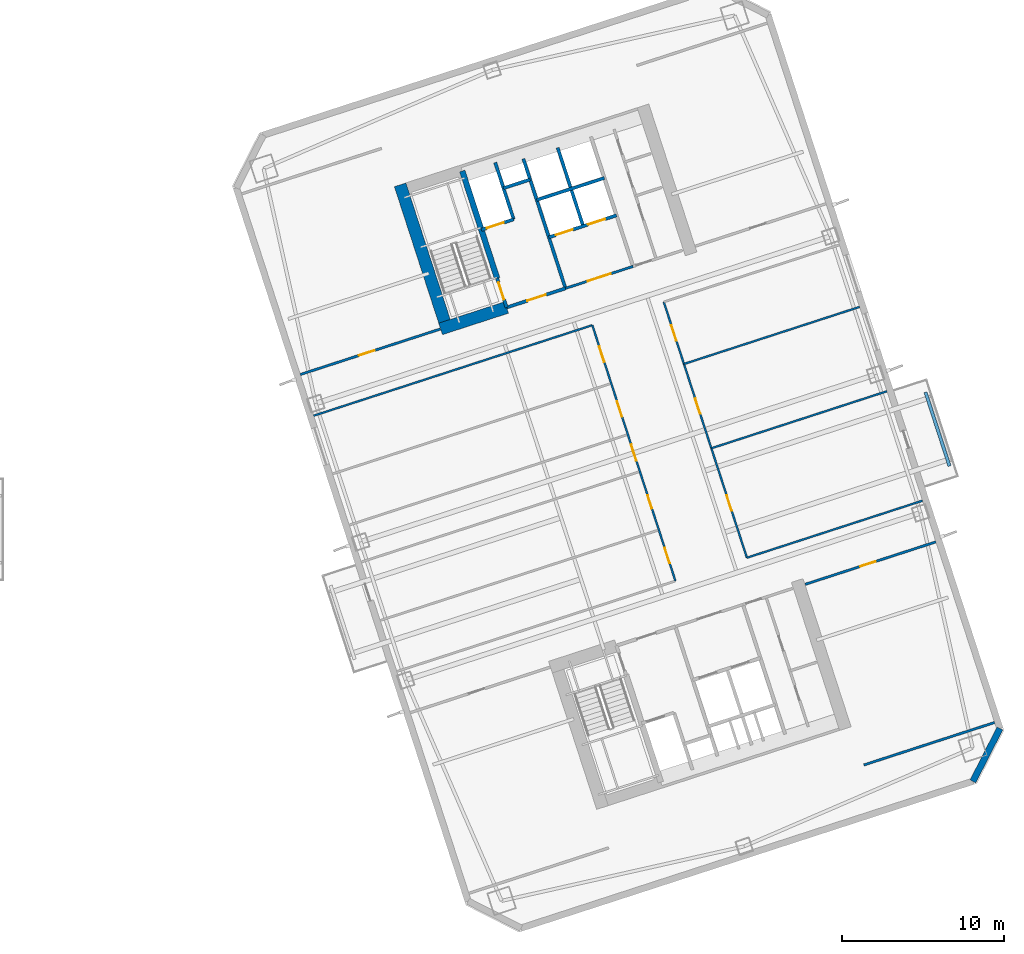
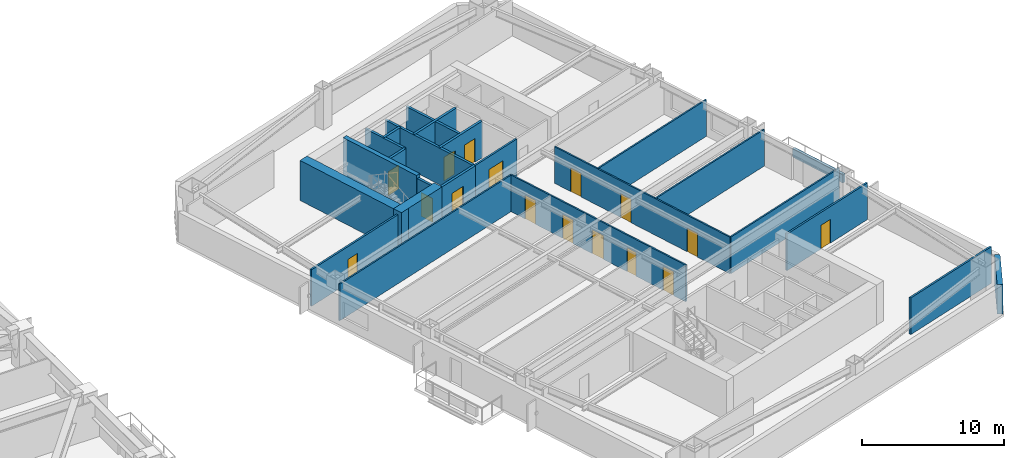
# One storey, part 10 of 19: 24 walls, 16 doors, 16 openings.
"""IFC4 building model written with IfcOpenShell, lengths in metres."""

from ifc_helpers import new_model, si_unit, direction, frame, frame_2d, origin, place, context, subcontext, project, spatial, rectangle, extrude, material, layer, layer_set, type_object, element, fill, save


model = new_model("IFC4")

# Units and contexts
model_context = context("Model", 3, precision=1e-05, world=origin(), true_north=direction((0.0, 1.0)))
body_context = subcontext(model_context, "Body", "Model", "MODEL_VIEW")
ifc_project = project(units=[si_unit("LENGTHUNIT", "METRE"), si_unit("AREAUNIT", "SQUARE_METRE"), si_unit("VOLUMEUNIT", "CUBIC_METRE"), si_unit("PLANEANGLEUNIT", "RADIAN"), si_unit("MASSUNIT", "GRAM", prefix="KILO")], contexts=[model_context])

# Site, building, storey
site_placement = place(None, origin())
site = spatial("IfcSite", under=ifc_project, at=site_placement, CompositionType="ELEMENT")
building_placement = place(site_placement, origin())
building = spatial("IfcBuilding", under=site, at=building_placement, Name="Qiaolan Cultural Towers", CompositionType="ELEMENT")
storey_placement = place(building_placement, frame((0.0, 0.0, 88.550048828125)))
storey = spatial("IfcBuildingStorey", under=building, at=storey_placement, Name="L22", CompositionType="ELEMENT", Elevation=88.550048828125)

# Walls
ifc_material_1 = material(Name="Concrete C50", Category="concrete")
ifc_layer_1 = layer(ifc_material_1, 0.35009765625)
ifc_layer_set_1 = layer_set([ifc_layer_1], Name="Concrete C50")
wall_type_1 = type_object("IfcWallType", Name="WL-CORE-350", PredefinedType="SHEAR", material=ifc_layer_set_1)
wall_1_placement = place(storey_placement, frame((82.513671875, 45.13134765625, 0.0), z_axis=(0.0, 0.0, 1.0), x_axis=(-0.308988790936, 0.951065679686, 0.0)))
element("IfcWall", 1, at=wall_1_placement, inside=storey, type_object=wall_type_1, Name="L22 T2-CN Stair Core Dividing Web", PredefinedType="SHEAR", context=body_context, shape_type="SweptSolid", body=[
    extrude(rectangle(XDim=6.97998046875, YDim=0.35009765625, at=frame_2d((3.489990234375, 0.0))), origin(), (0.0, 0.0, 1.0), 3.449951171875),
])
ifc_material_2 = material(Name="Concrete C60", Category="concrete")
ifc_layer_2 = layer(ifc_material_2, 0.75)
ifc_layer_set_2 = layer_set([ifc_layer_2], Name="Concrete C60")
wall_type_2 = type_object("IfcWallType", Name="WL-CORE-750", PredefinedType="SHEAR", material=ifc_layer_set_2)
wall_2_placement = place(storey_placement, frame((79.48876953125, 41.75634765625, 0.0), z_axis=(0.0, 0.0, 1.0), x_axis=(-0.309016134813, 0.951056795583, 0.0)))
element("IfcWall", 2, at=wall_2_placement, inside=storey, type_object=wall_type_2, Name="L22 T2-CN West Core Shear Wall", PredefinedType="SHEAR", context=body_context, shape_type="SweptSolid", body=[
    extrude(rectangle(XDim=9.630126953125, YDim=0.75, at=frame_2d((4.81494140625, 0.0))), origin(), (0.0, 0.0, 1.0), 3.449951171875),
])
wall_3_placement = place(storey_placement, frame((79.01611328125, 41.997314453125, 0.0), z_axis=(0.0, 0.0, 1.0), x_axis=(0.95106038264, 0.309005094736, 0.0)))
element("IfcWall", 3, at=wall_3_placement, inside=storey, type_object=wall_type_2, Name="L22 T2-CN Stair Front Shear Wall", PredefinedType="SHEAR", context=body_context, shape_type="SweptSolid", body=[
    extrude(rectangle(XDim=4.294921875, YDim=0.75, at=frame_2d((2.1474609375, 0.0))), origin(), (0.0, 0.0, 1.0), 3.449951171875),
])
ifc_material_3 = material(Name="Precast Concrete C50 Honed Stone Pier", Category="masonry")
ifc_layer_3 = layer(ifc_material_3, 0.39990234375)
ifc_layer_set_3 = layer_set([ifc_layer_3], Name="Precast Concrete C50 Honed Stone Pier")
wall_type_3 = type_object("IfcWallType", Name="WL-EXT-PIER-400", PredefinedType="SOLIDWALL", material=ifc_layer_set_3)
wall_4_placement = place(storey_placement, frame((113.62255859375, 17.281494140625, 0.0), z_axis=(0.0, 0.0, 1.0), x_axis=(-0.454026238093, -0.890988313685, 0.0)))
element("IfcWall", 4, at=wall_4_placement, inside=storey, type_object=wall_type_3, Name="L22 East Tower Precast Pier Facade Wall F6", PredefinedType="SOLIDWALL", context=body_context, shape_type="SweptSolid", body=[
    extrude(rectangle(XDim=3.677001953125, YDim=0.39990234375, at=frame_2d((1.83837890625, 0.0))), origin(), (0.0, 0.0, 1.0), 2.550048828125),
])

# Wall, opening, door
ifc_material_4 = material(Name="Concrete C35 Fire Wall", Category="concrete")
ifc_layer_4 = layer(ifc_material_4, 0.199951171875)
ifc_layer_set_4 = layer_set([ifc_layer_4], Name="Concrete C35 Fire Wall")
wall_type_4 = type_object("IfcWallType", Name="WL-FIRE-200", PredefinedType="PARTITIONING", material=ifc_layer_set_4)
wall_5_placement = place(storey_placement, frame((83.100830078125, 43.324462890625, 0.0), z_axis=(0.0, 0.0, 1.0), x_axis=(-0.309048298632, 0.951046344356, 0.0)))
wall_5 = element("IfcWall", 5, at=wall_5_placement, inside=storey, type_object=wall_type_4, Name="L22 T2-CN Smokeproof Stair Entry Wall", PredefinedType="PARTITIONING", context=body_context, shape_type="SweptSolid", body=[
    extrude(rectangle(XDim=1.89990234375, YDim=0.199951171875, at=frame_2d((0.949951171875, 0.0))), origin(), (0.0, 0.0, 1.0), 3.155029296875),
])
opening_1_placement = place(wall_5_placement, frame((0.52001953125, 0.0, 0.0)))
opening_1 = element("IfcOpeningElement", 6, at=opening_1_placement, cuts=wall_5, Name="Opening FD-04", PredefinedType="OPENING", context=body_context, shape_type="SweptSolid", body=[
    extrude(rectangle(XDim=1.10009765625, YDim=2.050048828125, at=frame_2d((0.550048828125, 1.02490234375))), frame((0.0, 0.10986328125, 0.0), z_axis=(0.0, -1.0, 0.0), x_axis=(1.0, 0.0, 0.0)), (0.0, 0.0, 1.0), 0.219970703125),
])
ifc_material_5 = material(Name="Galvanized Steel Command Fire Door", Category="steel")
door_type_1 = type_object("IfcDoorType", Name="DR-FD90-1100", OperationType="NOTDEFINED", PredefinedType="DOOR", material=ifc_material_5)
door_1_placement = place(opening_1_placement, origin())
door_1 = element("IfcDoor", 7, at=door_1_placement, inside=storey, type_object=door_type_1, Name="L22 ST-E2 Smokeproof Stair Fire Door", OperationType="SINGLE_SWING_LEFT", OverallHeight=2.050048828125, OverallWidth=1.10009765625, PredefinedType="DOOR", context=body_context, shape_type="SweptSolid", body=[
    extrude(rectangle(XDim=1.10009765625, YDim=2.050048828125, at=frame_2d((0.550048828125, 1.02490234375))), frame((0.0, 0.02490234375, 0.0), z_axis=(0.0, -1.0, 0.0), x_axis=(1.0, 0.0, 0.0)), (0.0, 0.0, 1.0), 0.050048828125),
])
fill(opening_1, door_1)

# Wall
wall_6_placement = place(storey_placement, frame((86.743408203125, 44.508056640625, 0.0), z_axis=(0.0, 0.0, 1.0), x_axis=(-0.309016001439, 0.951056838919, 0.0)))
element("IfcWall", 8, at=wall_6_placement, inside=storey, type_object=wall_type_4, Name="L22 T2-CN Firefighting Zone Wall", PredefinedType="PARTITIONING", context=body_context, shape_type="SweptSolid", body=[
    extrude(rectangle(XDim=8.429931640625, YDim=0.199951171875, at=frame_2d((4.21484375, 0.0))), origin(), (0.0, 0.0, 1.0), 3.155029296875),
])

# Wall, opening, door
wall_7_placement = place(storey_placement, frame((83.100830078125, 43.324462890625, 0.0), z_axis=(0.0, 0.0, 1.0), x_axis=(0.951052804469, 0.309028417967, 0.0)))
wall_7 = element("IfcWall", 9, at=wall_7_placement, inside=storey, type_object=wall_type_4, Name="L22 T2-CN Firefighting Lobby Front Wall", PredefinedType="PARTITIONING", context=body_context, shape_type="SweptSolid", body=[
    extrude(rectangle(XDim=3.830078125, YDim=0.199951171875, at=frame_2d((1.9150390625, 0.0))), origin(), (0.0, 0.0, 1.0), 3.155029296875),
])
opening_2_placement = place(wall_7_placement, frame((1.35009765625, 0.0, 0.0)))
opening_2 = element("IfcOpeningElement", 10, at=opening_2_placement, cuts=wall_7, Name="Opening FD-03", PredefinedType="OPENING", context=body_context, shape_type="SweptSolid", body=[
    extrude(rectangle(XDim=1.199951171875, YDim=2.050048828125, at=frame_2d((0.60009765625, 1.02490234375))), frame((0.0, 0.10986328125, 0.0), z_axis=(0.0, -1.0, 0.0), x_axis=(1.0, 0.0, 0.0)), (0.0, 0.0, 1.0), 0.219970703125),
])
ifc_material_6 = material(Name="Galvanized Steel Smokeproof Lobby Fire Door", Category="steel")
door_type_2 = type_object("IfcDoorType", Name="DR-FD90-1200", OperationType="NOTDEFINED", PredefinedType="DOOR", material=ifc_material_6)
door_2_placement = place(opening_2_placement, origin())
door_2 = element("IfcDoor", 11, at=door_2_placement, inside=storey, type_object=door_type_2, Name="L22 FFL-E2 Firefighting Lobby Fire Door", OperationType="SINGLE_SWING_LEFT", OverallHeight=2.050048828125, OverallWidth=1.199951171875, PredefinedType="DOOR", context=body_context, shape_type="SweptSolid", body=[
    extrude(rectangle(XDim=1.199951171875, YDim=2.050048828125, at=frame_2d((0.60009765625, 1.02490234375))), frame((0.0, 0.02490234375, 0.0), z_axis=(0.0, -1.0, 0.0), x_axis=(1.0, 0.0, 0.0)), (0.0, 0.0, 1.0), 0.050048828125),
])
fill(opening_2, door_2)

wall_8_placement = place(storey_placement, frame((81.540283203125, 48.127197265625, 0.0), z_axis=(0.0, 0.0, 1.0), x_axis=(0.951062257173, 0.308999325213, 0.0)))
wall_8 = element("IfcWall", 12, at=wall_8_placement, inside=storey, type_object=wall_type_4, Name="L22 T2-CN Firefighting Shaft Front Wall", PredefinedType="PARTITIONING", context=body_context, shape_type="SweptSolid", body=[
    extrude(rectangle(XDim=2.10009765625, YDim=0.199951171875, at=frame_2d((1.050048828125, 0.0))), origin(), (0.0, 0.0, 1.0), 3.155029296875),
])
opening_3_placement = place(wall_8_placement, frame((0.35009765625, 0.0, 0.0)))
opening_3 = element("IfcOpeningElement", 13, at=opening_3_placement, cuts=wall_8, Name="Opening LD-01", PredefinedType="OPENING", context=body_context, shape_type="SweptSolid", body=[
    extrude(rectangle(XDim=1.10009765625, YDim=2.050048828125, at=frame_2d((0.550048828125, 1.02490234375))), frame((0.0, 0.10986328125, 0.0), z_axis=(0.0, -1.0, 0.0), x_axis=(1.0, 0.0, 0.0)), (0.0, 0.0, 1.0), 0.219970703125),
])
ifc_material_7 = material(Name="Brushed Stainless Steel S30408 Centre-Parting Lift Landing Door", Category="steel")
door_type_3 = type_object("IfcDoorType", Name="DR-LIFT-1100", OperationType="NOTDEFINED", PredefinedType="DOOR", material=ifc_material_7)
door_3_placement = place(opening_3_placement, origin())
door_3 = element("IfcDoor", 14, at=door_3_placement, inside=storey, type_object=door_type_3, Name="L22 FFL-E2 Firefighting Lift Landing Door", OperationType="DOUBLE_DOOR_SLIDING", OverallHeight=2.050048828125, OverallWidth=1.10009765625, PredefinedType="DOOR", context=body_context, shape_type="SweptSolid", body=[
    extrude(rectangle(XDim=1.10009765625, YDim=2.050048828125, at=frame_2d((0.550048828125, 1.02490234375))), frame((0.0, 0.02490234375, 0.0), z_axis=(0.0, -1.0, 0.0), x_axis=(1.0, 0.0, 0.0)), (0.0, 0.0, 1.0), 0.050048828125),
])
fill(opening_3, door_3)

# Walls
wall_9_placement = place(storey_placement, frame((83.53759765625, 48.776123046875, 0.0), z_axis=(0.0, 0.0, 1.0), x_axis=(-0.3089935693, 0.951064127245, 0.0)))
element("IfcWall", 15, at=wall_9_placement, inside=storey, type_object=wall_type_4, Name="L22 T2-CN Firefighting Hoistway East Wall", PredefinedType="PARTITIONING", context=body_context, shape_type="SweptSolid", body=[
    extrude(rectangle(XDim=3.7001953125, YDim=0.199951171875, at=frame_2d((1.85009765625, 0.0))), origin(), (0.0, 0.0, 1.0), 3.155029296875),
])
wall_10_placement = place(storey_placement, frame((82.910400390625, 50.706787109375, 0.0), z_axis=(0.0, 0.0, 1.0), x_axis=(0.951041328149, 0.309063734775, 0.0)))
element("IfcWall", 16, at=wall_10_placement, inside=storey, type_object=wall_type_4, Name="L22 T2-CN Pressurization Shaft Front Wall", PredefinedType="PARTITIONING", context=body_context, shape_type="SweptSolid", body=[
    extrude(rectangle(XDim=1.72998046875, YDim=0.199951171875, at=frame_2d((0.864990234375, 0.0))), origin(), (0.0, 0.0, 1.0), 3.155029296875),
])

# Wall, openings, doors
wall_11_placement = place(storey_placement, frame((85.717529296875, 47.66552734375, 0.0), z_axis=(0.0, 0.0, 1.0), x_axis=(0.951058531764, 0.30901079133, 0.0)))
wall_11 = element("IfcWall", 17, at=wall_11_placement, inside=storey, type_object=wall_type_4, Name="L22 T2-CN Passenger Lift Shaft Front Wall", PredefinedType="PARTITIONING", context=body_context, shape_type="SweptSolid", body=[
    extrude(rectangle(XDim=4.39990234375, YDim=0.199951171875, at=frame_2d((2.199951171875, 0.0))), origin(), (0.0, 0.0, 1.0), 3.155029296875),
])
opening_4_placement = place(wall_11_placement, frame((0.449951171875, 0.0, 0.0)))
opening_4 = element("IfcOpeningElement", 18, at=opening_4_placement, cuts=wall_11, Name="Opening LD-01", PredefinedType="OPENING", context=body_context, shape_type="SweptSolid", body=[
    extrude(rectangle(XDim=1.10009765625, YDim=2.050048828125, at=frame_2d((0.550048828125, 1.02490234375))), frame((0.0, 0.10986328125, 0.0), z_axis=(0.0, -1.0, 0.0), x_axis=(1.0, 0.0, 0.0)), (0.0, 0.0, 1.0), 0.219970703125),
])
opening_5_placement = place(wall_11_placement, frame((2.550048828125, 0.0, 0.0)))
opening_5 = element("IfcOpeningElement", 19, at=opening_5_placement, cuts=wall_11, Name="Opening LD-01", PredefinedType="OPENING", context=body_context, shape_type="SweptSolid", body=[
    extrude(rectangle(XDim=1.10009765625, YDim=2.050048828125, at=frame_2d((0.550048828125, 1.02490234375))), frame((0.0, 0.10986328125, 0.0), z_axis=(0.0, -1.0, 0.0), x_axis=(1.0, 0.0, 0.0)), (0.0, 0.0, 1.0), 0.219970703125),
])
door_4_placement = place(opening_4_placement, origin())
door_4 = element("IfcDoor", 20, at=door_4_placement, inside=storey, type_object=door_type_3, Name="L22 Passenger Lift 1 Landing Door", OperationType="DOUBLE_DOOR_SLIDING", OverallHeight=2.050048828125, OverallWidth=1.10009765625, PredefinedType="DOOR", context=body_context, shape_type="SweptSolid", body=[
    extrude(rectangle(XDim=1.10009765625, YDim=2.050048828125, at=frame_2d((0.550048828125, 1.02490234375))), frame((0.0, 0.02490234375, 0.0), z_axis=(0.0, -1.0, 0.0), x_axis=(1.0, 0.0, 0.0)), (0.0, 0.0, 1.0), 0.050048828125),
])
fill(opening_4, door_4)
door_5_placement = place(opening_5_placement, origin())
door_5 = element("IfcDoor", 21, at=door_5_placement, inside=storey, type_object=door_type_3, Name="L22 Passenger Lift 2 Landing Door", OperationType="DOUBLE_DOOR_SLIDING", OverallHeight=2.050048828125, OverallWidth=1.10009765625, PredefinedType="DOOR", context=body_context, shape_type="SweptSolid", body=[
    extrude(rectangle(XDim=1.10009765625, YDim=2.050048828125, at=frame_2d((0.550048828125, 1.02490234375))), frame((0.0, 0.02490234375, 0.0), z_axis=(0.0, -1.0, 0.0), x_axis=(1.0, 0.0, 0.0)), (0.0, 0.0, 1.0), 0.050048828125),
])
fill(opening_5, door_5)

# Walls
wall_12_placement = place(storey_placement, frame((87.83837890625, 48.3544921875, 0.0), z_axis=(0.0, 0.0, 1.0), x_axis=(-0.3090093719, 0.951058992953, 0.0)))
element("IfcWall", 22, at=wall_12_placement, inside=storey, type_object=wall_type_4, Name="L22 T2-CN Lift Shaft Divider Wall", PredefinedType="PARTITIONING", context=body_context, shape_type="SweptSolid", body=[
    extrude(rectangle(XDim=5.110107421875, YDim=0.199951171875, at=frame_2d((2.55517578125, 0.0))), origin(), (0.0, 0.0, 1.0), 3.155029296875),
])
wall_13_placement = place(storey_placement, frame((84.966552734375, 49.9765625, 0.0), z_axis=(0.0, 0.0, 1.0), x_axis=(0.951063829732, 0.308994485023, 0.0)))
element("IfcWall", 23, at=wall_13_placement, inside=storey, type_object=wall_type_4, Name="L22 T2-CN Passenger Lift Shaft Back Wall", PredefinedType="PARTITIONING", context=body_context, shape_type="SweptSolid", body=[
    extrude(rectangle(XDim=4.400146484375, YDim=0.199951171875, at=frame_2d((2.2001953125, 0.0))), origin(), (0.0, 0.0, 1.0), 3.155029296875),
])
ifc_material_8 = material(Name="Gypsum Stud Acoustic Partition", Category="gypsum")
ifc_layer_5 = layer(ifc_material_8, 0.1201171875)
ifc_layer_set_5 = layer_set([ifc_layer_5], Name="Gypsum Stud Acoustic Partition")
wall_type_5 = type_object("IfcWallType", Name="WL-PART-120", PredefinedType="PARTITIONING", material=ifc_layer_set_5)
wall_14_placement = place(storey_placement, frame((97.96826171875, 27.8408203125, 0.0), z_axis=(0.0, 0.0, 1.0), x_axis=(0.951055737546, 0.309019391108, 0.0)))
element("IfcWall", 24, at=wall_14_placement, inside=storey, type_object=wall_type_5, Name="L22 T2 South Corridor Right Wall", PredefinedType="PARTITIONING", context=body_context, shape_type="SweptSolid", body=[
    extrude(rectangle(XDim=11.4248046875, YDim=0.1201171875, at=frame_2d((5.71240234375, 0.0))), origin(), (0.0, 0.0, 1.0), 3.155029296875),
])
wall_15_placement = place(storey_placement, frame((71.166015625, 36.628662109375, 0.0), z_axis=(0.0, 0.0, 1.0), x_axis=(0.951057625014, 0.309013582067, 0.0)))
element("IfcWall", 25, at=wall_15_placement, inside=storey, type_object=wall_type_5, Name="L22 T2 North Corridor Left Wall", PredefinedType="PARTITIONING", context=body_context, shape_type="SweptSolid", body=[
    extrude(rectangle(XDim=18.124755859375, YDim=0.1201171875, at=frame_2d((9.0625, 0.0))), origin(), (0.0, 0.0, 1.0), 3.155029296875),
])

# Wall, openings, doors
wall_16_placement = place(storey_placement, frame((93.5458984375, 26.404052734375, 0.0), z_axis=(0.0, 0.0, 1.0), x_axis=(-0.309022042254, 0.951054876125, 0.0)))
wall_16 = element("IfcWall", 26, at=wall_16_placement, inside=storey, type_object=wall_type_5, Name="L22 T2 West Spine Wall", PredefinedType="PARTITIONING", context=body_context, shape_type="SweptSolid", body=[
    extrude(rectangle(XDim=16.639892578125, YDim=0.1201171875, at=frame_2d((8.31982421875, 0.0))), origin(), (0.0, 0.0, 1.0), 3.155029296875),
])
opening_6_placement = place(wall_16_placement, frame((1.159912109375, 0.0, 0.0)))
opening_6 = element("IfcOpeningElement", 27, at=opening_6_placement, cuts=wall_16, Name="Opening ID-04", PredefinedType="OPENING", context=body_context, shape_type="SweptSolid", body=[
    extrude(rectangle(XDim=1.0, YDim=2.050048828125, at=frame_2d((0.5, 1.02490234375))), frame((0.0, 0.070068359375, 0.0), z_axis=(0.0, -1.0, 0.0), x_axis=(1.0, 0.0, 0.0)), (0.0, 0.0, 1.0), 0.14013671875),
])
opening_7_placement = place(wall_16_placement, frame((4.719970703125, 0.0, 0.0)))
opening_7 = element("IfcOpeningElement", 28, at=opening_7_placement, cuts=wall_16, Name="Opening ID-09", PredefinedType="OPENING", context=body_context, shape_type="SweptSolid", body=[
    extrude(rectangle(XDim=0.85009765625, YDim=2.050048828125, at=frame_2d((0.425048828125, 1.02490234375))), frame((0.0, 0.070068359375, 0.0), z_axis=(0.0, -1.0, 0.0), x_axis=(1.0, 0.0, 0.0)), (0.0, 0.0, 1.0), 0.14013671875),
])
opening_8_placement = place(wall_16_placement, frame((7.822998046875, 0.0, 0.0)))
opening_8 = element("IfcOpeningElement", 29, at=opening_8_placement, cuts=wall_16, Name="Opening ID-07", PredefinedType="OPENING", context=body_context, shape_type="SweptSolid", body=[
    extrude(rectangle(XDim=1.050048828125, YDim=2.050048828125, at=frame_2d((0.52490234375, 1.02490234375))), frame((0.0, 0.070068359375, 0.0), z_axis=(0.0, -1.0, 0.0), x_axis=(1.0, 0.0, 0.0)), (0.0, 0.0, 1.0), 0.14013671875),
])
opening_9_placement = place(wall_16_placement, frame((10.690185546875, 0.0, 0.0)))
opening_9 = element("IfcOpeningElement", 30, at=opening_9_placement, cuts=wall_16, Name="Opening ID-04", PredefinedType="OPENING", context=body_context, shape_type="SweptSolid", body=[
    extrude(rectangle(XDim=1.0, YDim=2.050048828125, at=frame_2d((0.5, 1.02490234375))), frame((0.0, 0.070068359375, 0.0), z_axis=(0.0, -1.0, 0.0), x_axis=(1.0, 0.0, 0.0)), (0.0, 0.0, 1.0), 0.14013671875),
])
opening_10_placement = place(wall_16_placement, frame((14.2470703125, 0.0, 0.0)))
opening_10 = element("IfcOpeningElement", 31, at=opening_10_placement, cuts=wall_16, Name="Opening ID-04", PredefinedType="OPENING", context=body_context, shape_type="SweptSolid", body=[
    extrude(rectangle(XDim=1.0, YDim=2.050048828125, at=frame_2d((0.5, 1.02490234375))), frame((0.0, 0.070068359375, 0.0), z_axis=(0.0, -1.0, 0.0), x_axis=(1.0, 0.0, 0.0)), (0.0, 0.0, 1.0), 0.14013671875),
])
ifc_material_9 = material(Name="Oak Veneer Acoustic Office Door", Category="timber")
door_type_4 = type_object("IfcDoorType", Name="DR-INT-1000", OperationType="NOTDEFINED", PredefinedType="DOOR", material=ifc_material_9)
door_6_placement = place(opening_6_placement, origin())
door_6 = element("IfcDoor", 32, at=door_6_placement, inside=storey, type_object=door_type_4, Name="L22 T2 Health & Ergonomics Room Door", OperationType="SINGLE_SWING_LEFT", OverallHeight=2.050048828125, OverallWidth=1.0, PredefinedType="DOOR", context=body_context, shape_type="SweptSolid", body=[
    extrude(rectangle(XDim=1.0, YDim=2.050048828125, at=frame_2d((0.5, 1.02490234375))), frame((0.0, 0.02490234375, 0.0), z_axis=(0.0, -1.0, 0.0), x_axis=(1.0, 0.0, 0.0)), (0.0, 0.0, 1.0), 0.050048828125),
])
fill(opening_6, door_6)
door_7_placement = place(opening_9_placement, origin())
door_7 = element("IfcDoor", 33, at=door_7_placement, inside=storey, type_object=door_type_4, Name="L22 T2 Executive Office Door", OperationType="SINGLE_SWING_RIGHT", OverallHeight=2.050048828125, OverallWidth=1.0, PredefinedType="DOOR", context=body_context, shape_type="SweptSolid", body=[
    extrude(rectangle(XDim=1.0, YDim=2.050048828125, at=frame_2d((0.5, 1.02490234375))), frame((0.0, 0.02490234375, 0.0), z_axis=(0.0, -1.0, 0.0), x_axis=(1.0, 0.0, 0.0)), (0.0, 0.0, 1.0), 0.050048828125),
])
fill(opening_9, door_7)
door_8_placement = place(opening_10_placement, origin())
door_8 = element("IfcDoor", 34, at=door_8_placement, inside=storey, type_object=door_type_4, Name="L22 T2 Executive Office Door", OperationType="SINGLE_SWING_LEFT", OverallHeight=2.050048828125, OverallWidth=1.0, PredefinedType="DOOR", context=body_context, shape_type="SweptSolid", body=[
    extrude(rectangle(XDim=1.0, YDim=2.050048828125, at=frame_2d((0.5, 1.02490234375))), frame((0.0, 0.02490234375, 0.0), z_axis=(0.0, -1.0, 0.0), x_axis=(1.0, 0.0, 0.0)), (0.0, 0.0, 1.0), 0.050048828125),
])
fill(opening_10, door_8)
ifc_material_10 = material(Name="Oak Veneer Consultation Door", Category="timber")
door_type_5 = type_object("IfcDoorType", Name="DR-INT-1050", OperationType="NOTDEFINED", PredefinedType="DOOR", material=ifc_material_10)
door_9_placement = place(opening_8_placement, origin())
door_9 = element("IfcDoor", 35, at=door_9_placement, inside=storey, type_object=door_type_5, Name="L22 T2 Health & Ergonomics Room Door", OperationType="SINGLE_SWING_LEFT", OverallHeight=2.050048828125, OverallWidth=1.050048828125, PredefinedType="DOOR", context=body_context, shape_type="SweptSolid", body=[
    extrude(rectangle(XDim=1.050048828125, YDim=2.050048828125, at=frame_2d((0.52490234375, 1.02490234375))), frame((0.0, 0.02490234375, 0.0), z_axis=(0.0, -1.0, 0.0), x_axis=(1.0, 0.0, 0.0)), (0.0, 0.0, 1.0), 0.050048828125),
])
fill(opening_8, door_9)
ifc_material_11 = material(Name="Moisture-Resistant Laminate Utility Door", Category="timber")
door_type_6 = type_object("IfcDoorType", Name="DR-INT-850", OperationType="NOTDEFINED", PredefinedType="DOOR", material=ifc_material_11)
door_10_placement = place(opening_7_placement, origin())
door_10 = element("IfcDoor", 36, at=door_10_placement, inside=storey, type_object=door_type_6, Name="L22 T2 Health & Ergonomics Room Door", OperationType="SINGLE_SWING_RIGHT", OverallHeight=2.050048828125, OverallWidth=0.85009765625, PredefinedType="DOOR", context=body_context, shape_type="SweptSolid", body=[
    extrude(rectangle(XDim=0.85009765625, YDim=2.050048828125, at=frame_2d((0.425048828125, 1.02490234375))), frame((0.0, 0.02490234375, 0.0), z_axis=(0.0, -1.0, 0.0), x_axis=(1.0, 0.0, 0.0)), (0.0, 0.0, 1.0), 0.050048828125),
])
fill(opening_7, door_10)

wall_17_placement = place(storey_placement, frame((97.96826171875, 27.8408203125, 0.0), z_axis=(0.0, 0.0, 1.0), x_axis=(-0.30901773025, 0.951056277195, 0.0)))
wall_17 = element("IfcWall", 37, at=wall_17_placement, inside=storey, type_object=wall_type_5, Name="L22 T2 East Spine Wall", PredefinedType="PARTITIONING", context=body_context, shape_type="SweptSolid", body=[
    extrude(rectangle(XDim=16.64013671875, YDim=0.1201171875, at=frame_2d((8.320068359375, 0.0))), origin(), (0.0, 0.0, 1.0), 3.155029296875),
])
opening_11_placement = place(wall_17_placement, frame((3.06005859375, 0.0, 0.0)))
opening_11 = element("IfcOpeningElement", 38, at=opening_11_placement, cuts=wall_17, Name="Opening ID-04", PredefinedType="OPENING", context=body_context, shape_type="SweptSolid", body=[
    extrude(rectangle(XDim=1.0, YDim=2.050048828125, at=frame_2d((0.5, 1.02490234375))), frame((0.0, 0.070068359375, 0.0), z_axis=(0.0, -1.0, 0.0), x_axis=(1.0, 0.0, 0.0)), (0.0, 0.0, 1.0), 0.14013671875),
])
opening_12_placement = place(wall_17_placement, frame((9.362548828125, 0.0, 0.0)))
opening_12 = element("IfcOpeningElement", 39, at=opening_12_placement, cuts=wall_17, Name="Opening ID-04", PredefinedType="OPENING", context=body_context, shape_type="SweptSolid", body=[
    extrude(rectangle(XDim=1.0, YDim=2.050048828125, at=frame_2d((0.5, 1.02490234375))), frame((0.0, 0.070068359375, 0.0), z_axis=(0.0, -1.0, 0.0), x_axis=(1.0, 0.0, 0.0)), (0.0, 0.0, 1.0), 0.14013671875),
])
opening_13_placement = place(wall_17_placement, frame((14.12255859375, 0.0, 0.0)))
opening_13 = element("IfcOpeningElement", 40, at=opening_13_placement, cuts=wall_17, Name="Opening ID-04", PredefinedType="OPENING", context=body_context, shape_type="SweptSolid", body=[
    extrude(rectangle(XDim=1.0, YDim=2.050048828125, at=frame_2d((0.5, 1.02490234375))), frame((0.0, 0.070068359375, 0.0), z_axis=(0.0, -1.0, 0.0), x_axis=(1.0, 0.0, 0.0)), (0.0, 0.0, 1.0), 0.14013671875),
])
door_11_placement = place(opening_11_placement, origin())
door_11 = element("IfcDoor", 41, at=door_11_placement, inside=storey, type_object=door_type_4, Name="L22 T2 Members Lounge Door", OperationType="SINGLE_SWING_RIGHT", OverallHeight=2.050048828125, OverallWidth=1.0, PredefinedType="DOOR", context=body_context, shape_type="SweptSolid", body=[
    extrude(rectangle(XDim=1.0, YDim=2.050048828125, at=frame_2d((0.5, 1.02490234375))), frame((0.0, 0.02490234375, 0.0), z_axis=(0.0, -1.0, 0.0), x_axis=(1.0, 0.0, 0.0)), (0.0, 0.0, 1.0), 0.050048828125),
])
fill(opening_11, door_11)
door_12_placement = place(opening_12_placement, origin())
door_12 = element("IfcDoor", 42, at=door_12_placement, inside=storey, type_object=door_type_4, Name="L22 T2 Members Lounge Door", OperationType="SINGLE_SWING_LEFT", OverallHeight=2.050048828125, OverallWidth=1.0, PredefinedType="DOOR", context=body_context, shape_type="SweptSolid", body=[
    extrude(rectangle(XDim=1.0, YDim=2.050048828125, at=frame_2d((0.5, 1.02490234375))), frame((0.0, 0.02490234375, 0.0), z_axis=(0.0, -1.0, 0.0), x_axis=(1.0, 0.0, 0.0)), (0.0, 0.0, 1.0), 0.050048828125),
])
fill(opening_12, door_12)
door_13_placement = place(opening_13_placement, origin())
door_13 = element("IfcDoor", 43, at=door_13_placement, inside=storey, type_object=door_type_4, Name="L22 T2 Members Lounge Door", OperationType="SINGLE_SWING_RIGHT", OverallHeight=2.050048828125, OverallWidth=1.0, PredefinedType="DOOR", context=body_context, shape_type="SweptSolid", body=[
    extrude(rectangle(XDim=1.0, YDim=2.050048828125, at=frame_2d((0.5, 1.02490234375))), frame((0.0, 0.02490234375, 0.0), z_axis=(0.0, -1.0, 0.0), x_axis=(1.0, 0.0, 0.0)), (0.0, 0.0, 1.0), 0.050048828125),
])
fill(opening_13, door_13)

# Walls
wall_18_placement = place(storey_placement, frame((95.76806640625, 34.6123046875, 0.0), z_axis=(0.0, 0.0, 1.0), x_axis=(0.951055737546, 0.309019391108, 0.0)))
element("IfcWall", 44, at=wall_18_placement, inside=storey, type_object=wall_type_5, Name="L22 T2 East Partition 1", PredefinedType="PARTITIONING", context=body_context, shape_type="SweptSolid", body=[
    extrude(rectangle(XDim=11.4248046875, YDim=0.1201171875, at=frame_2d((5.71240234375, 0.0))), origin(), (0.0, 0.0, 1.0), 3.155029296875),
])
wall_19_placement = place(storey_placement, frame((94.072998046875, 39.828857421875, 0.0), z_axis=(0.0, 0.0, 1.0), x_axis=(0.951057778088, 0.309013110947, 0.0)))
element("IfcWall", 45, at=wall_19_placement, inside=storey, type_object=wall_type_5, Name="L22 T2 East Partition 2", PredefinedType="PARTITIONING", context=body_context, shape_type="SweptSolid", body=[
    extrude(rectangle(XDim=11.425048828125, YDim=0.1201171875, at=frame_2d((5.71240234375, 0.0))), origin(), (0.0, 0.0, 1.0), 3.155029296875),
])

# Wall, opening, door
ifc_material_12 = material(Name="Autoclaved Aerated Concrete Block B06", Category="concrete")
ifc_layer_6 = layer(ifc_material_12, 0.14990234375)
ifc_layer_set_6 = layer_set([ifc_layer_6], Name="Autoclaved Aerated Concrete Block B06")
wall_type_6 = type_object("IfcWallType", Name="WL-PART-150", PredefinedType="PARTITIONING", material=ifc_layer_set_6)
wall_20_placement = place(storey_placement, frame((86.743408203125, 44.508056640625, 0.0), z_axis=(0.0, 0.0, 1.0), x_axis=(0.951063829732, 0.308994485023, 0.0)))
wall_20 = element("IfcWall", 46, at=wall_20_placement, inside=storey, type_object=wall_type_6, Name="L22 T2-CN Passenger Lift Lobby Front Wall", PredefinedType="PARTITIONING", context=body_context, shape_type="SweptSolid", body=[
    extrude(rectangle(XDim=4.400146484375, YDim=0.14990234375, at=frame_2d((2.2001953125, 0.0))), origin(), (0.0, 0.0, 1.0), 3.155029296875),
])
opening_14_placement = place(wall_20_placement, frame((1.449951171875, 0.0, 0.0)))
opening_14 = element("IfcOpeningElement", 47, at=opening_14_placement, cuts=wall_20, Name="Opening FD-05", PredefinedType="OPENING", context=body_context, shape_type="SweptSolid", body=[
    extrude(rectangle(XDim=1.5, YDim=2.050048828125, at=frame_2d((0.75, 1.02490234375))), frame((0.0, 0.0849609375, 0.0), z_axis=(0.0, -1.0, 0.0), x_axis=(1.0, 0.0, 0.0)), (0.0, 0.0, 1.0), 0.169921875),
])
ifc_material_13 = material(Name="Painted Steel Lift Lobby Fire Door", Category="steel")
door_type_7 = type_object("IfcDoorType", Name="DR-FD60-1500", OperationType="NOTDEFINED", PredefinedType="DOOR", material=ifc_material_13)
door_14_placement = place(opening_14_placement, origin())
door_14 = element("IfcDoor", 48, at=door_14_placement, inside=storey, type_object=door_type_7, Name="L22 Passenger Lift Lobby Entrance", OperationType="SINGLE_SWING_LEFT", OverallHeight=2.050048828125, OverallWidth=1.5, PredefinedType="DOOR", context=body_context, shape_type="SweptSolid", body=[
    extrude(rectangle(XDim=1.5, YDim=2.050048828125, at=frame_2d((0.75, 1.02490234375))), frame((0.0, 0.02490234375, 0.0), z_axis=(0.0, -1.0, 0.0), x_axis=(1.0, 0.0, 0.0)), (0.0, 0.0, 1.0), 0.050048828125),
])
fill(opening_14, door_14)

# Wall
wall_21_placement = place(storey_placement, frame((105.209228515625, 15.02099609375, 0.0), z_axis=(0.0, 0.0, 1.0), x_axis=(0.951054329824, 0.309023723562, 0.0)))
element("IfcWall", 49, at=wall_21_placement, inside=storey, type_object=wall_type_6, Name="L22 T2 Flank Wall FLK-SE", PredefinedType="PARTITIONING", context=body_context, shape_type="SweptSolid", body=[
    extrude(rectangle(XDim=8.5, YDim=0.14990234375, at=frame_2d((4.25, 0.0))), origin(), (0.0, 0.0, 1.0), 3.155029296875),
])

# Wall, opening, door
wall_22_placement = place(storey_placement, frame((101.578369140625, 26.196044921875, 0.0), z_axis=(0.0, 0.0, 1.0), x_axis=(0.951062770994, 0.308997743729, 0.0)))
wall_22 = element("IfcWall", 50, at=wall_22_placement, inside=storey, type_object=wall_type_6, Name="L22 T2 Flank Front FLK-SE", PredefinedType="PARTITIONING", context=body_context, shape_type="SweptSolid", body=[
    extrude(rectangle(XDim=8.5, YDim=0.14990234375, at=frame_2d((4.25, 0.0))), origin(), (0.0, 0.0, 1.0), 3.155029296875),
])
opening_15_placement = place(wall_22_placement, frame((3.570068359375, 0.0, 0.0)))
opening_15 = element("IfcOpeningElement", 51, at=opening_15_placement, cuts=wall_22, Name="Opening ID-04", PredefinedType="OPENING", context=body_context, shape_type="SweptSolid", body=[
    extrude(rectangle(XDim=1.0, YDim=2.050048828125, at=frame_2d((0.5, 1.02490234375))), frame((0.0, 0.0849609375, 0.0), z_axis=(0.0, -1.0, 0.0), x_axis=(1.0, 0.0, 0.0)), (0.0, 0.0, 1.0), 0.169921875),
])
door_15_placement = place(opening_15_placement, origin())
door_15 = element("IfcDoor", 52, at=door_15_placement, inside=storey, type_object=door_type_4, Name="L22 T2 Corner Studio Door", OperationType="SINGLE_SWING_LEFT", OverallHeight=2.050048828125, OverallWidth=1.0, PredefinedType="DOOR", context=body_context, shape_type="SweptSolid", body=[
    extrude(rectangle(XDim=1.0, YDim=2.050048828125, at=frame_2d((0.5, 1.02490234375))), frame((0.0, 0.02490234375, 0.0), z_axis=(0.0, -1.0, 0.0), x_axis=(1.0, 0.0, 0.0)), (0.0, 0.0, 1.0), 0.050048828125),
])
fill(opening_15, door_15)

wall_23_placement = place(storey_placement, frame((70.337646484375, 39.177490234375, 0.0), z_axis=(0.0, 0.0, 1.0), x_axis=(0.951059695568, 0.309007209409, 0.0)))
wall_23 = element("IfcWall", 53, at=wall_23_placement, inside=storey, type_object=wall_type_6, Name="L22 T2 Flank Front FLK-NW", PredefinedType="PARTITIONING", context=body_context, shape_type="SweptSolid", body=[
    extrude(rectangle(XDim=9.10009765625, YDim=0.14990234375, at=frame_2d((4.550048828125, 0.0))), origin(), (0.0, 0.0, 1.0), 3.155029296875),
])
opening_16_placement = place(wall_23_placement, frame((3.822021484375, 0.0, 0.0)))
opening_16 = element("IfcOpeningElement", 54, at=opening_16_placement, cuts=wall_23, Name="Opening ID-04", PredefinedType="OPENING", context=body_context, shape_type="SweptSolid", body=[
    extrude(rectangle(XDim=1.0, YDim=2.050048828125, at=frame_2d((0.5, 1.02490234375))), frame((0.0, 0.0849609375, 0.0), z_axis=(0.0, -1.0, 0.0), x_axis=(1.0, 0.0, 0.0)), (0.0, 0.0, 1.0), 0.169921875),
])
door_16_placement = place(opening_16_placement, origin())
door_16 = element("IfcDoor", 55, at=door_16_placement, inside=storey, type_object=door_type_4, Name="L22 T2 Corner Studio Door", OperationType="SINGLE_SWING_LEFT", OverallHeight=2.050048828125, OverallWidth=1.0, PredefinedType="DOOR", context=body_context, shape_type="SweptSolid", body=[
    extrude(rectangle(XDim=1.0, YDim=2.050048828125, at=frame_2d((0.5, 1.02490234375))), frame((0.0, 0.02490234375, 0.0), z_axis=(0.0, -1.0, 0.0), x_axis=(1.0, 0.0, 0.0)), (0.0, 0.0, 1.0), 0.050048828125),
])
fill(opening_16, door_16)

# Wall
ifc_material_14 = material(Name="Precast Concrete C45 Tree Planter Upstand", Category="concrete")
ifc_layer_7 = layer(ifc_material_14, 0.199951171875)
ifc_layer_set_7 = layer_set([ifc_layer_7], Name="Precast Concrete C45 Tree Planter Upstand")
wall_type_7 = type_object("IfcWallType", Name="WL-PLANTER-200", PredefinedType="PARAPET", material=ifc_layer_set_7)
wall_24_placement = place(storey_placement, frame((110.504150390625, 33.51220703125, 0.0), z_axis=(0.0, 0.0, 1.0), x_axis=(-0.308986014439, 0.951066581729, 0.0)))
element("IfcWall", 56, at=wall_24_placement, inside=storey, type_object=wall_type_7, Name="L22 T2 Tree Balcony Soil Planter Box E", PredefinedType="PARAPET", context=body_context, shape_type="SweptSolid", body=[
    extrude(rectangle(XDim=4.800048828125, YDim=0.199951171875, at=frame_2d((2.39990234375, 0.0))), origin(), (0.0, 0.0, 1.0), 0.75),
])

save(model, "model.ifc")
